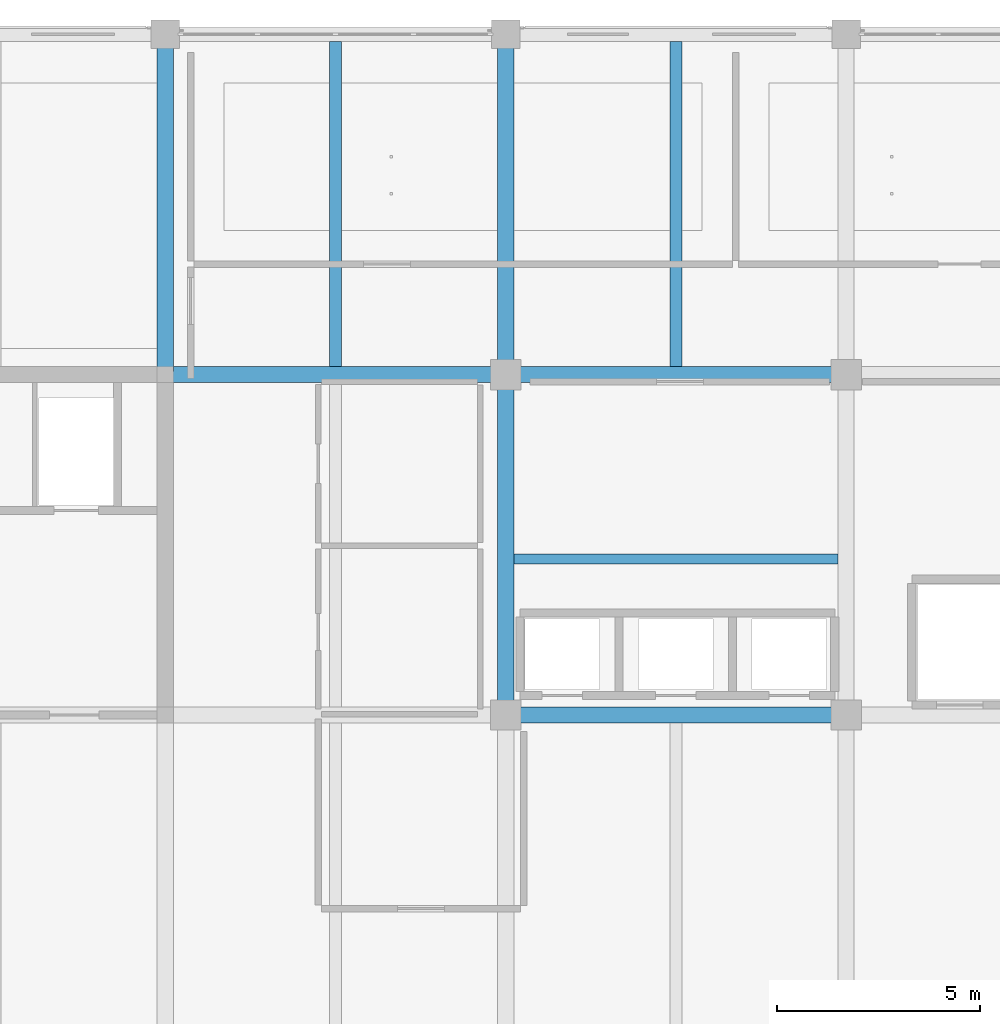
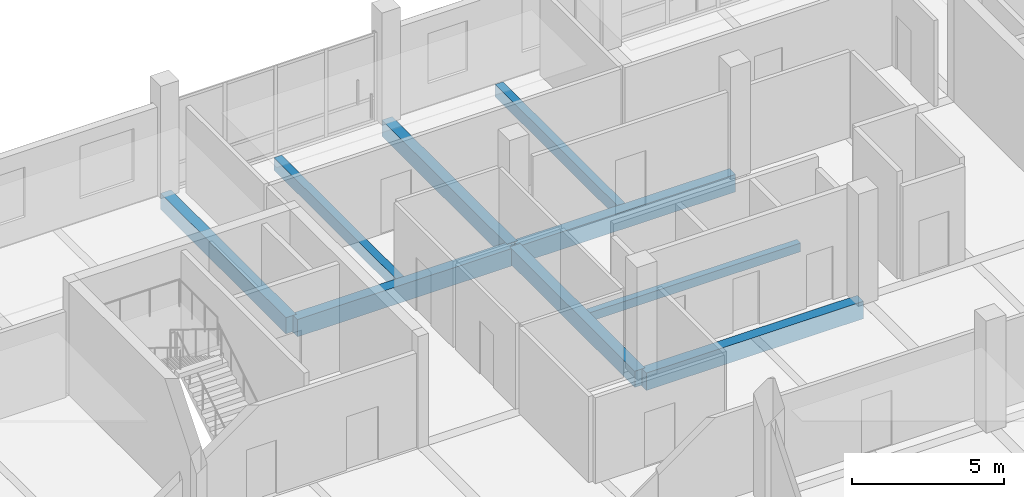
# One storey, part 5 of 32: 9 beams.
"""IFC4 building model written with IfcOpenShell, lengths in metres."""

from ifc_helpers import new_model, si_unit, direction, frame, origin, origin_2d, place, context, subcontext, project, spatial, rectangle, extrude, material, material_profile, profile_set, type_object, element, save


model = new_model("IFC4")

# Units and contexts
model_context = context("Model", 3, precision=1e-05, world=origin(), true_north=direction((0.0, 1.0)))
body_context = subcontext(model_context, "Body", "Model", "MODEL_VIEW")
ifc_project = project(units=[si_unit("LENGTHUNIT", "METRE"), si_unit("AREAUNIT", "SQUARE_METRE"), si_unit("VOLUMEUNIT", "CUBIC_METRE"), si_unit("PLANEANGLEUNIT", "RADIAN"), si_unit("MASSUNIT", "GRAM", prefix="KILO")], contexts=[model_context])

# Site, building, storey
site_placement = place(None, origin())
site = spatial("IfcSite", under=ifc_project, at=site_placement, CompositionType="ELEMENT")
building_placement = place(site_placement, origin())
building = spatial("IfcBuilding", under=site, at=building_placement, Name="Telukmera Botanical Conservatory", CompositionType="ELEMENT")
storey_placement = place(building_placement, frame((0.0, 0.0, 42.0)))
storey = spatial("IfcBuildingStorey", under=building, at=storey_placement, Name="L09", CompositionType="ELEMENT", Elevation=42.0)

# Beams
ifc_material_1 = material(Name="Concrete C40/50", Category="concrete")
ifc_material_profile_1 = material_profile(ifc_material_1, rectangle(XDim=0.300048828125, YDim=0.5, at=origin_2d()), Name="RC 300x500")
ifc_profile_set_1 = profile_set([ifc_material_profile_1], Name="Concrete C40/50")
beam_type_1 = type_object("IfcBeamType", Name="Beam_B24", PredefinedType="JOIST", material=ifc_profile_set_1)
for number, where, z_axis, x_axis, name in (
    (1, (71.39990234375, 34.60009765625, -0.25), (0.0, 1.0, 0.0), (-1.0, 0.0, 0.0), "Tower Secondary Floor Joist L09"),
    (2, (79.800048828125, 34.60009765625, -0.25), (0.0, 1.0, 0.0), (-1.0, 0.0, 0.0), "Tower Secondary Floor Joist L09"),
):
    element("IfcBeam", number, at=place(storey_placement, frame(where, z_axis=z_axis, x_axis=x_axis)), inside=storey, type_object=beam_type_1, Name=name, PredefinedType="JOIST", context=body_context, shape_type="SweptSolid", body=[
        extrude(rectangle(XDim=0.300048828125, YDim=0.5, at=origin_2d()), origin(), (0.0, 0.0, 1.0), 8.02490234375),
    ])
ifc_material_profile_2 = material_profile(ifc_material_1, rectangle(XDim=0.39990234375, YDim=0.699951171875, at=origin_2d()), Name="RC 400x700")
ifc_profile_set_2 = profile_set([ifc_material_profile_2], Name="Concrete C40/50")
beam_type_2 = type_object("IfcBeamType", Name="Beam_B7", PredefinedType="BEAM", material=ifc_profile_set_2)
for number, where, z_axis, x_axis, name in (
    (3, (75.679931640625, 26.0, -0.35009765625), (1.0, 0.0, 0.0), (0.0, 1.0, 0.0), "Tower Grid Beam L09"),
    (4, (67.280029296875, 34.39990234375, -0.35009765625), (1.0, 0.0, 0.0), (0.0, 1.0, 0.0), "Tower Grid Beam L09"),
    (5, (75.679931640625, 34.39990234375, -0.35009765625), (1.0, 0.0, 0.0), (0.0, 1.0, 0.0), "Tower Grid Beam L09"),
):
    element("IfcBeam", number, at=place(storey_placement, frame(where, z_axis=z_axis, x_axis=x_axis)), inside=storey, type_object=beam_type_2, Name=name, PredefinedType="BEAM", context=body_context, shape_type="SweptSolid", body=[
        extrude(rectangle(XDim=0.39990234375, YDim=0.699951171875, at=origin_2d()), origin(), (0.0, 0.0, 1.0), 8.239990234375),
    ])
ifc_material_profile_3 = material_profile(ifc_material_1, rectangle(XDim=0.39990234375, YDim=0.64990234375, at=origin_2d()), Name="RC 400x650")
ifc_profile_set_3 = profile_set([ifc_material_profile_3], Name="Concrete C40/50")
beam_type_3 = type_object("IfcBeamType", Name="Beam_B8", PredefinedType="BEAM", material=ifc_profile_set_3)
for number, where, z_axis, x_axis, name in (
    (6, (67.199951171875, 34.47998046875, -0.324951171875), (0.0, 1.0, 0.0), (-1.0, 0.0, 0.0), "Tower Transverse Beam L09"),
    (7, (75.60009765625, 26.080078125, -0.324951171875), (0.0, 1.0, 0.0), (-1.0, 0.0, 0.0), "Tower Transverse Beam L09"),
    (8, (75.60009765625, 34.47998046875, -0.324951171875), (0.0, 1.0, 0.0), (-1.0, 0.0, 0.0), "Tower Transverse Beam L09"),
):
    element("IfcBeam", number, at=place(storey_placement, frame(where, z_axis=z_axis, x_axis=x_axis)), inside=storey, type_object=beam_type_3, Name=name, PredefinedType="BEAM", context=body_context, shape_type="SweptSolid", body=[
        extrude(rectangle(XDim=0.39990234375, YDim=0.64990234375, at=origin_2d()), origin(), (0.0, 0.0, 1.0), 8.239990234375),
    ])
ifc_material_2 = material(Name="Precast concrete C40/50", Category="concrete")
ifc_material_profile_4 = material_profile(ifc_material_2, rectangle(XDim=0.25, YDim=0.35009765625, at=origin_2d()), Name="PC 250x350")
ifc_profile_set_4 = profile_set([ifc_material_profile_4], Name="Precast concrete C40/50")
beam_type_4 = type_object("IfcBeamType", Name="Beam_LN2", PredefinedType="LINTEL", material=ifc_profile_set_4)
beam_placement = place(storey_placement, frame((75.800048828125, 29.85009765625, -0.175048828125), z_axis=(1.0, 0.0, 0.0), x_axis=(0.0, 1.0, 0.0)))
element("IfcBeam", 9, at=beam_placement, inside=storey, type_object=beam_type_4, Name="Tower Lift Bank Header Lintel L09", PredefinedType="LINTEL", context=body_context, shape_type="SweptSolid", body=[
    extrude(rectangle(XDim=0.25, YDim=0.35009765625, at=origin_2d()), origin(), (0.0, 0.0, 1.0), 8.0),
])

save(model, "model.ifc")
